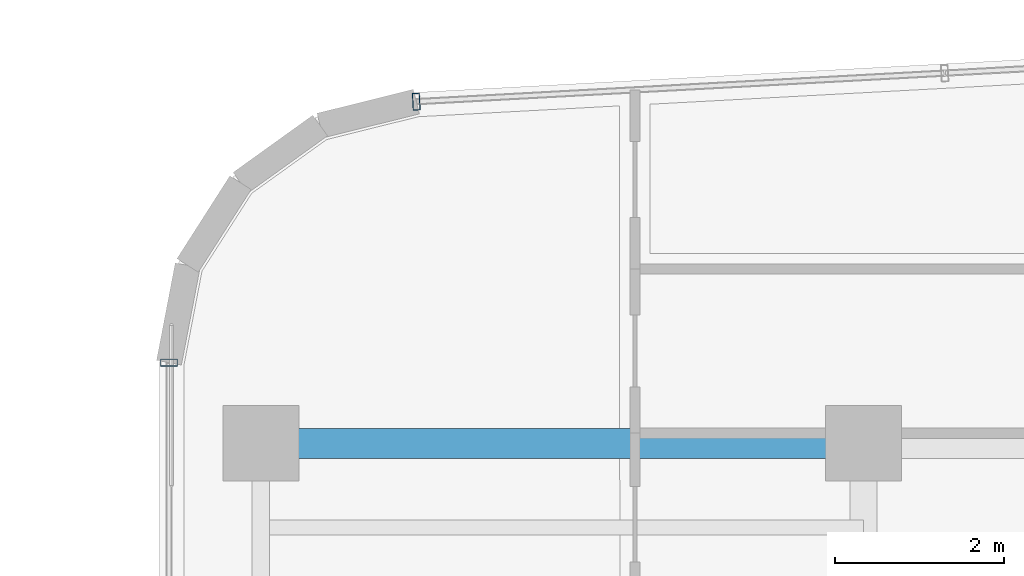
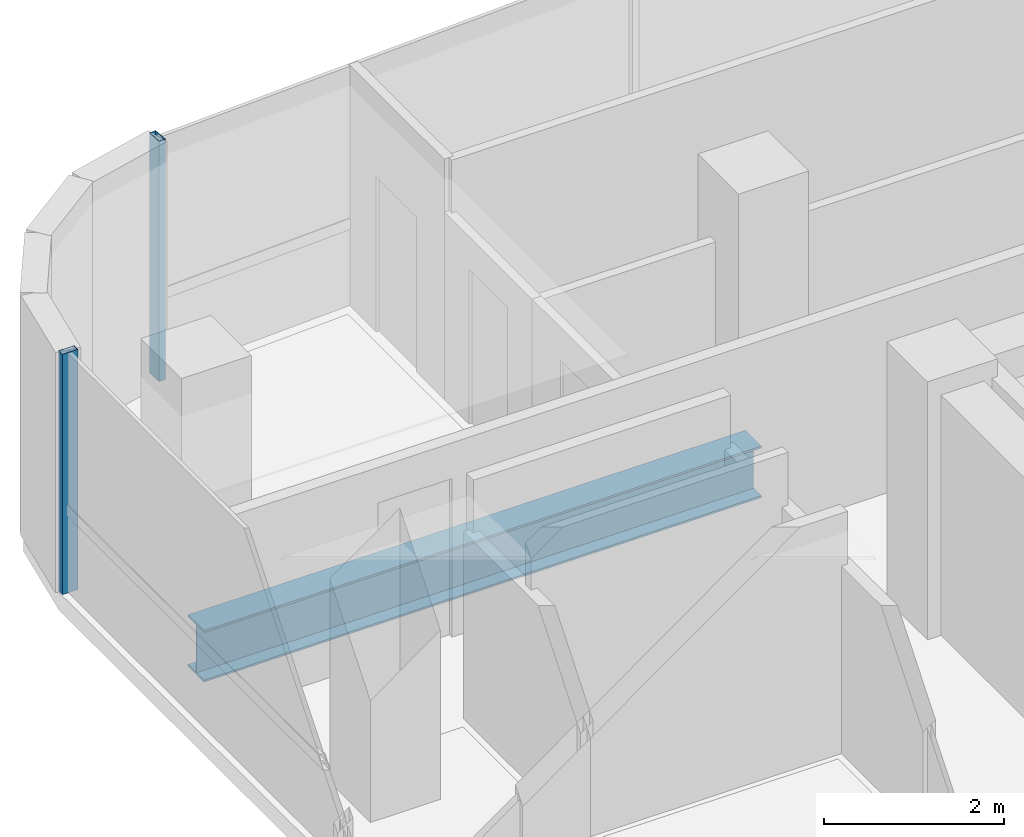
# One storey, part 13 of 24: 2 members, 1 beam, 2 elements without a shape of their own.
"""IFC4 building model written with IfcOpenShell, lengths in metres."""

from ifc_helpers import new_model, si_unit, direction, frame, origin, origin_2d, place, context, subcontext, project, spatial, hollow_rectangle, i_section, extrude, source, transform, mapped, material, material_profile, profile_set, type_object, element, aggregate, save


model = new_model("IFC4")

# Units and contexts
model_context = context("Model", 3, precision=1e-05, world=origin(), true_north=direction((0.0, 1.0)))
body_context = subcontext(model_context, "Body", "Model", "MODEL_VIEW")
ifc_project = project(units=[si_unit("LENGTHUNIT", "METRE"), si_unit("AREAUNIT", "SQUARE_METRE"), si_unit("VOLUMEUNIT", "CUBIC_METRE"), si_unit("PLANEANGLEUNIT", "RADIAN"), si_unit("MASSUNIT", "GRAM", prefix="KILO")], contexts=[model_context])

# Site, building, storey
site_placement = place(None, origin())
site = spatial("IfcSite", under=ifc_project, at=site_placement, CompositionType="ELEMENT")
building_placement = place(site_placement, origin())
building = spatial("IfcBuilding", under=site, at=building_placement, Name="Valdorenza Pilgrim Sanctuary Tower", CompositionType="ELEMENT")
storey_placement = place(building_placement, frame((0.0, 0.0, 230.0)))
storey = spatial("IfcBuildingStorey", under=building, at=storey_placement, Name="L59", CompositionType="ELEMENT", Elevation=230.0)

# Beam
ifc_material_1 = material(Name="Steel ASTM A992 Grade 50", Category="steel")
ifc_material_profile_1 = material_profile(ifc_material_1, i_section(OverallWidth=0.35595703125, OverallDepth=0.700927734375, WebThickness=0.016845703125, FlangeThickness=0.02734375, at=origin_2d()), Name="W27X161")
ifc_profile_set_1 = profile_set([ifc_material_profile_1], Name="Steel ASTM A992 Grade 50")
beam_type = type_object("IfcBeamType", Name="STR-BM-GRD-W27", PredefinedType="BEAM", material=ifc_profile_set_1)
shared_shape_1 = source(origin(), body_context, "Body", "SweptSolid", [
    extrude(i_section(OverallWidth=0.35595703125, OverallDepth=0.700927734375, WebThickness=0.016845703125, FlangeThickness=0.02734375, at=origin_2d()), origin(), (0.0, 0.0, 1.0), 7.150146484375),
])
beam_placement = place(storey_placement, frame((-29.800048828125, 14.800048828125, -0.590576171875), z_axis=(1.0, 0.0, 0.0), x_axis=(0.0, 1.0, 0.0)))
element("IfcBeam", 1, at=beam_placement, inside=storey, type_object=beam_type, Name="L59 Floor Girder WA-XW-N2", PredefinedType="BEAM", context=body_context, shape_type="MappedRepresentation", body=[
    mapped(shared_shape_1, transform((0.0, 0.0, 0.0), x_axis=(1.0, 0.0, 0.0), y_axis=(0.0, 1.0, 0.0), z_axis=(0.0, 0.0, 1.0), scale=1.0)),
])

# Curtain wall, member
ifc_material_2 = material(Name="Curtain-wall IGU glazing", Category="glass")
curtain_wall_type = type_object("IfcCurtainWallType", Name="CW-SYS-02", PredefinedType="NOTDEFINED", material=ifc_material_2)
curtain_wall_1_placement = place(storey_placement, origin())
curtain_wall_1 = element("IfcCurtainWall", 2, at=curtain_wall_1_placement, inside=storey, type_object=curtain_wall_type, Name="L59 Curtain Wall CW-L59-1-1S2", PredefinedType="NOTDEFINED")
ifc_material_3 = material(Name="Anodised aluminium AW-6060", Category="aluminium")
ifc_material_profile_2 = material_profile(ifc_material_3, hollow_rectangle(XDim=0.0849609375, YDim=0.199951171875, WallThickness=0.0048828125, at=origin_2d()), Name="ALU-M 200x85x5")
ifc_profile_set_2 = profile_set([ifc_material_profile_2], Name="Anodised aluminium AW-6060")
member_type = type_object("IfcMemberType", Name="CW-MUL-02", PredefinedType="MULLION", material=ifc_profile_set_2)
shared_shape_2 = source(origin(), body_context, "Body", "SweptSolid", [
    extrude(hollow_rectangle(XDim=0.0849609375, YDim=0.199951171875, WallThickness=0.0048828125, at=origin_2d()), origin(), (0.0, 0.0, 1.0), 3.260009765625),
])
member_1_placement = place(storey_placement, frame((-30.889892578125, 15.757568359375, 0.0), z_axis=(0.0, 0.0, 1.0), x_axis=(0.0, 1.0, 0.0)))
member_1 = element("IfcMember", 3, at=member_1_placement, type_object=member_type, Name="CW-L59-1-1S2 Mullion 4", PredefinedType="MULLION", context=body_context, shape_type="MappedRepresentation", body=[
    mapped(shared_shape_2, transform((0.0, 0.0, 0.0), x_axis=(1.0, 0.0, 0.0), y_axis=(0.0, 1.0, 0.0), z_axis=(0.0, 0.0, 1.0), scale=1.0)),
])
aggregate(curtain_wall_1, [member_1])

curtain_wall_2_placement = place(storey_placement, origin())
curtain_wall_2 = element("IfcCurtainWall", 4, at=curtain_wall_2_placement, inside=storey, type_object=curtain_wall_type, Name="L59 Curtain Wall CW-L59-1-6", PredefinedType="NOTDEFINED")
member_2_placement = place(storey_placement, frame((-27.9560546875, 18.85400390625, 0.0), z_axis=(0.0, 0.0, 1.0), x_axis=(0.998547034311, 0.053887106711, 0.0)))
member_2 = element("IfcMember", 5, at=member_2_placement, type_object=member_type, Name="CW-L59-1-6 Mullion 1", PredefinedType="MULLION", context=body_context, shape_type="MappedRepresentation", body=[
    mapped(shared_shape_2, transform((0.0, 0.0, 0.0), x_axis=(1.0, 0.0, 0.0), y_axis=(0.0, 1.0, 0.0), z_axis=(0.0, 0.0, 1.0), scale=1.0)),
])
aggregate(curtain_wall_2, [member_2])

save(model, "model.ifc")
